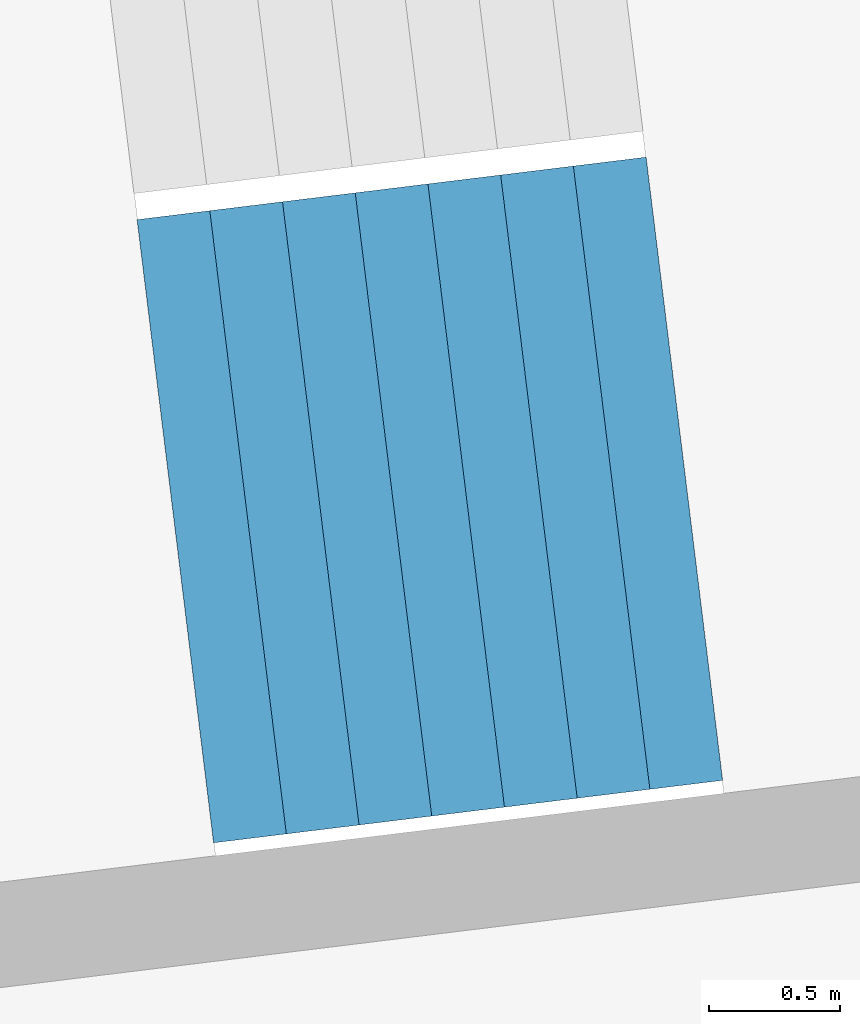
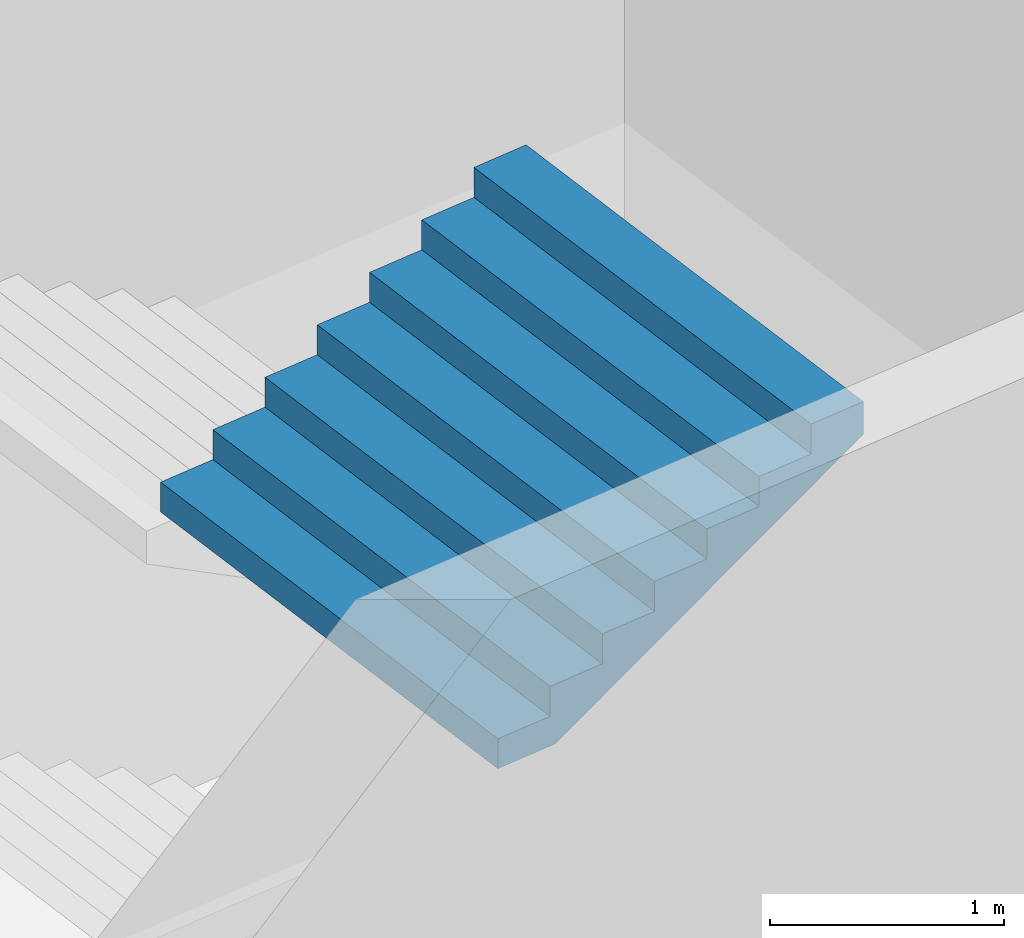
# One storey, part 24 of 73: 1 stair flight, 1 element without a shape of its own.
"""IFC4 building model written with IfcOpenShell, lengths in metres."""

from ifc_helpers import new_model, si_unit, direction, frame, origin, place, context, subcontext, project, spatial, triangles, material, type_object, element, aggregate, save


model = new_model("IFC4")

# Units and contexts
model_context = context("Model", 3, precision=1e-05, world=origin(), true_north=direction((0.0, 1.0)))
body_context = subcontext(model_context, "Body", "Model", "MODEL_VIEW")
ifc_project = project(units=[si_unit("LENGTHUNIT", "METRE"), si_unit("AREAUNIT", "SQUARE_METRE"), si_unit("VOLUMEUNIT", "CUBIC_METRE"), si_unit("PLANEANGLEUNIT", "RADIAN"), si_unit("MASSUNIT", "GRAM", prefix="KILO")], contexts=[model_context])

# Site, building, storey
site_placement = place(None, origin())
site = spatial("IfcSite", under=ifc_project, at=site_placement, CompositionType="ELEMENT")
building_placement = place(site_placement, origin())
building = spatial("IfcBuilding", under=site, at=building_placement, Name="Lantaw Convention Tower", CompositionType="ELEMENT")
storey_placement = place(building_placement, frame((0.0, 0.0, 22.0)))
storey = spatial("IfcBuildingStorey", under=building, at=storey_placement, Name="L03", CompositionType="ELEMENT", Elevation=22.0)

# Stair, stair flight
ifc_material = material(Name="Concrete C35/45", Category="concrete")
stair_type = type_object("IfcStairType", Name="Exit stair 2400 riser 156.25 in 4 flights", PredefinedType="HALF_TURN_STAIR", material=ifc_material)
stair_placement = place(storey_placement, origin())
stair = element("IfcStair", 1, at=stair_placement, inside=storey, type_object=stair_type, Name="Podium exit stair P10 L03", PredefinedType="HALF_TURN_STAIR")
stair_flight_type = type_object("IfcStairFlightType", Name="Stair flight 2400 riser 156.25", PredefinedType="STRAIGHT", material=ifc_material)
stair_flight_placement = place(storey_placement, frame((-36.802978515625, -5.7783203125, 3.75), z_axis=(0.0, 0.0, 1.0), x_axis=(0.992546151641, 0.121869343405, 0.0)))
stair_flight = element("IfcStairFlight", 2, at=stair_flight_placement, type_object=stair_flight_type, Name="P10 flight 4", NumberOfRisers=8, NumberOfTreads=7, PredefinedType="STRAIGHT", RiserHeight=0.15625, TreadLength=0.28, context=body_context, shape_type="Tessellation", body=[
    triangles([(0.0, 1.199951171875, 0.0), (0.0, 1.199951171875, 0.15625), (0.28, 1.199951171875, 0.0), (0.28, 1.199951171875, 0.15625), (0.28, 1.199951171875, 0.3125), (0.3076200632058044, 1.199951171875, 0.0), (0.3076200632058044, 1.199951171875, 0.3125), (0.56, 1.199951171875, 0.14083701830033238), (0.56, 1.199951171875, 0.3125), (0.56, 1.199951171875, 0.46875), (0.8400000000000001, 1.199951171875, 0.29708701830033235), (0.8400000000000001, 1.199951171875, 0.46875), (0.8400000000000001, 1.199951171875, 0.625), (1.12, 1.199951171875, 0.45333701830033235), (1.12, 1.199951171875, 0.625), (1.12, 1.199951171875, 0.78125), (1.4000000000000001, 1.199951171875, 0.6095870183003324), (1.4000000000000001, 1.199951171875, 0.78125), (1.4000000000000001, 1.199951171875, 0.9375), (1.6800000000000002, 1.199951171875, 0.7658370183003324), (1.6800000000000002, 1.199951171875, 0.9375), (1.6800000000000002, 1.199951171875, 1.09375), (1.9600000000000002, 1.199951171875, 0.9220870183003324), (1.9600000000000002, 1.199951171875, 1.09375), (0.0, -1.199951171875, 0.0), (0.0, -1.199951171875, 0.15625), (0.28, -1.199951171875, 0.0), (0.28, -1.199951171875, 0.15625), (0.28, -1.199951171875, 0.3125), (0.3076200632058044, -1.199951171875, 0.0), (0.3076200632058044, -1.199951171875, 0.3125), (0.56, -1.199951171875, 0.14083701830033238), (0.56, -1.199951171875, 0.3125), (0.56, -1.199951171875, 0.46875), (0.8400000000000001, -1.199951171875, 0.29708701830033235), (0.8400000000000001, -1.199951171875, 0.46875), (0.8400000000000001, -1.199951171875, 0.625), (1.12, -1.199951171875, 0.45333701830033235), (1.12, -1.199951171875, 0.625), (1.12, -1.199951171875, 0.78125), (1.4000000000000001, -1.199951171875, 0.6095870183003324), (1.4000000000000001, -1.199951171875, 0.78125), (1.4000000000000001, -1.199951171875, 0.9375), (1.6800000000000002, -1.199951171875, 0.7658370183003324), (1.6800000000000002, -1.199951171875, 0.9375), (1.6800000000000002, -1.199951171875, 1.09375), (1.9600000000000002, -1.199951171875, 0.9220870183003324), (1.9600000000000002, -1.199951171875, 1.09375), (0.0, 0.239990234375, 0.15625), (0.0, 0.239990234375, 0.0), (0.0, 0.1919921875, 0.15625), (0.0, 0.1919921875, 0.0), (0.0, 0.143994140625, 0.15625), (0.0, 0.143994140625, 0.0), (0.0, 0.09599609375, 0.15625), (0.0, 0.09599609375, 0.0), (0.0, 0.047998046875, 0.15625), (0.0, 0.047998046875, 0.0), (0.0, 0.0, 0.15625), (0.0, 0.0, 0.0), (0.0, -0.047998046875, 0.15625), (0.0, -0.047998046875, 0.0), (0.0, -0.09599609375, 0.15625), (0.0, -0.09599609375, 0.0), (0.0, -0.143994140625, 0.15625), (0.0, -0.143994140625, 0.0), (0.0, -0.1919921875, 0.15625), (0.0, -0.1919921875, 0.0), (0.0, -0.239990234375, 0.15625), (0.0, -0.239990234375, 0.0), (0.28, 0.239990234375, 0.3125), (0.28, 0.239990234375, 0.15625), (0.28, 0.1919921875, 0.3125), (0.28, 0.1919921875, 0.15625), (0.28, 0.143994140625, 0.3125), (0.28, 0.143994140625, 0.15625), (0.28, 0.09599609375, 0.3125), (0.28, 0.09599609375, 0.15625), (0.28, 0.047998046875, 0.3125), (0.28, 0.047998046875, 0.15625), (0.28, 0.0, 0.3125), (0.28, 0.0, 0.15625), (0.28, -0.047998046875, 0.3125), (0.28, -0.047998046875, 0.15625), (0.28, -0.09599609375, 0.3125), (0.28, -0.09599609375, 0.15625), (0.28, -0.143994140625, 0.3125), (0.28, -0.143994140625, 0.15625), (0.28, -0.1919921875, 0.3125), (0.28, -0.1919921875, 0.15625), (0.28, -0.239990234375, 0.3125), (0.28, -0.239990234375, 0.15625), (0.56, 0.239990234375, 0.46875), (0.56, 0.239990234375, 0.3125), (0.56, 0.1919921875, 0.46875), (0.56, 0.1919921875, 0.3125), (0.56, 0.143994140625, 0.46875), (0.56, 0.143994140625, 0.3125), (0.56, 0.09599609375, 0.46875), (0.56, 0.09599609375, 0.3125), (0.56, 0.047998046875, 0.46875), (0.56, 0.047998046875, 0.3125), (0.56, 0.0, 0.46875), (0.56, 0.0, 0.3125), (0.56, -0.047998046875, 0.46875), (0.56, -0.047998046875, 0.3125), (0.56, -0.09599609375, 0.46875), (0.56, -0.09599609375, 0.3125), (0.56, -0.143994140625, 0.46875), (0.56, -0.143994140625, 0.3125), (0.56, -0.1919921875, 0.46875), (0.56, -0.1919921875, 0.3125), (0.56, -0.239990234375, 0.46875), (0.56, -0.239990234375, 0.3125), (0.8400000000000001, 0.239990234375, 0.625), (0.8400000000000001, 0.239990234375, 0.46875), (0.8400000000000001, 0.1919921875, 0.625), (0.8400000000000001, 0.1919921875, 0.46875), (0.8400000000000001, 0.143994140625, 0.625), (0.8400000000000001, 0.143994140625, 0.46875), (0.8400000000000001, 0.09599609375, 0.625), (0.8400000000000001, 0.09599609375, 0.46875), (0.8400000000000001, 0.047998046875, 0.625), (0.8400000000000001, 0.047998046875, 0.46875), (0.8400000000000001, 0.0, 0.625), (0.8400000000000001, 0.0, 0.46875), (0.8400000000000001, -0.047998046875, 0.625), (0.8400000000000001, -0.047998046875, 0.46875), (0.8400000000000001, -0.09599609375, 0.625), (0.8400000000000001, -0.09599609375, 0.46875), (0.8400000000000001, -0.143994140625, 0.625), (0.8400000000000001, -0.143994140625, 0.46875), (0.8400000000000001, -0.1919921875, 0.625), (0.8400000000000001, -0.1919921875, 0.46875), (0.8400000000000001, -0.239990234375, 0.625), (0.8400000000000001, -0.239990234375, 0.46875), (1.12, 0.239990234375, 0.78125), (1.12, 0.239990234375, 0.625), (1.12, 0.1919921875, 0.78125), (1.12, 0.1919921875, 0.625), (1.12, 0.143994140625, 0.78125), (1.12, 0.143994140625, 0.625), (1.12, 0.09599609375, 0.78125), (1.12, 0.09599609375, 0.625), (1.12, 0.047998046875, 0.78125), (1.12, 0.047998046875, 0.625), (1.12, 0.0, 0.78125), (1.12, 0.0, 0.625), (1.12, -0.047998046875, 0.78125), (1.12, -0.047998046875, 0.625), (1.12, -0.09599609375, 0.78125), (1.12, -0.09599609375, 0.625), (1.12, -0.143994140625, 0.78125), (1.12, -0.143994140625, 0.625), (1.12, -0.1919921875, 0.78125), (1.12, -0.1919921875, 0.625), (1.12, -0.239990234375, 0.78125), (1.12, -0.239990234375, 0.625), (1.4000000000000001, 0.239990234375, 0.9375), (1.4000000000000001, 0.239990234375, 0.78125), (1.4000000000000001, 0.1919921875, 0.9375), (1.4000000000000001, 0.1919921875, 0.78125), (1.4000000000000001, 0.143994140625, 0.9375), (1.4000000000000001, 0.143994140625, 0.78125), (1.4000000000000001, 0.09599609375, 0.9375), (1.4000000000000001, 0.09599609375, 0.78125), (1.4000000000000001, 0.047998046875, 0.9375), (1.4000000000000001, 0.047998046875, 0.78125), (1.4000000000000001, 0.0, 0.9375), (1.4000000000000001, 0.0, 0.78125), (1.4000000000000001, -0.047998046875, 0.9375), (1.4000000000000001, -0.047998046875, 0.78125), (1.4000000000000001, -0.09599609375, 0.9375), (1.4000000000000001, -0.09599609375, 0.78125), (1.4000000000000001, -0.143994140625, 0.9375), (1.4000000000000001, -0.143994140625, 0.78125), (1.4000000000000001, -0.1919921875, 0.9375), (1.4000000000000001, -0.1919921875, 0.78125), (1.4000000000000001, -0.239990234375, 0.9375), (1.4000000000000001, -0.239990234375, 0.78125), (1.6800000000000002, 0.239990234375, 1.09375), (1.6800000000000002, 0.239990234375, 0.9375), (1.6800000000000002, 0.1919921875, 1.09375), (1.6800000000000002, 0.1919921875, 0.9375), (1.6800000000000002, 0.143994140625, 1.09375), (1.6800000000000002, 0.143994140625, 0.9375), (1.6800000000000002, 0.09599609375, 1.09375), (1.6800000000000002, 0.09599609375, 0.9375), (1.6800000000000002, 0.047998046875, 1.09375), (1.6800000000000002, 0.047998046875, 0.9375), (1.6800000000000002, 0.0, 1.09375), (1.6800000000000002, 0.0, 0.9375), (1.6800000000000002, -0.047998046875, 1.09375), (1.6800000000000002, -0.047998046875, 0.9375), (1.6800000000000002, -0.09599609375, 1.09375), (1.6800000000000002, -0.09599609375, 0.9375), (1.6800000000000002, -0.143994140625, 1.09375), (1.6800000000000002, -0.143994140625, 0.9375), (1.6800000000000002, -0.1919921875, 1.09375), (1.6800000000000002, -0.1919921875, 0.9375), (1.6800000000000002, -0.239990234375, 1.09375), (1.6800000000000002, -0.239990234375, 0.9375), (0.3076200632058044, 0.239990234375, 0.3125), (0.3076200632058044, 0.1919921875, 0.3125), (0.3076200632058044, 0.143994140625, 0.3125), (0.3076200632058044, 0.09599609375, 0.3125), (0.3076200632058044, 0.047998046875, 0.3125), (0.3076200632058044, 0.0, 0.3125), (0.3076200632058044, -0.047998046875, 0.3125), (0.3076200632058044, -0.09599609375, 0.3125), (0.3076200632058044, -0.143994140625, 0.3125), (0.3076200632058044, -0.1919921875, 0.3125), (0.3076200632058044, -0.239990234375, 0.3125), (1.9600000000000002, 0.239990234375, 1.09375), (1.9600000000000002, 0.1919921875, 1.09375), (1.9600000000000002, 0.143994140625, 1.09375), (1.9600000000000002, 0.09599609375, 1.09375), (1.9600000000000002, 0.047998046875, 1.09375), (1.9600000000000002, 0.0, 1.09375), (1.9600000000000002, -0.047998046875, 1.09375), (1.9600000000000002, -0.09599609375, 1.09375), (1.9600000000000002, -0.143994140625, 1.09375), (1.9600000000000002, -0.1919921875, 1.09375), (1.9600000000000002, -0.239990234375, 1.09375), (1.9600000000000002, 0.239990234375, 0.9220870183003324), (1.9600000000000002, 0.1919921875, 0.9220870183003324), (1.9600000000000002, 0.143994140625, 0.9220870183003324), (1.9600000000000002, 0.09599609375, 0.9220870183003324), (1.9600000000000002, 0.047998046875, 0.9220870183003324), (1.9600000000000002, 0.0, 0.9220870183003324), (1.9600000000000002, -0.047998046875, 0.9220870183003324), (1.9600000000000002, -0.09599609375, 0.9220870183003324), (1.9600000000000002, -0.143994140625, 0.9220870183003324), (1.9600000000000002, -0.1919921875, 0.9220870183003324), (1.9600000000000002, -0.239990234375, 0.9220870183003324), (1.6800000000000002, 0.239990234375, 0.7658370183003324), (1.6800000000000002, 0.1919921875, 0.7658370183003324), (1.6800000000000002, 0.143994140625, 0.7658370183003324), (1.6800000000000002, 0.09599609375, 0.7658370183003324), (1.6800000000000002, 0.047998046875, 0.7658370183003324), (1.6800000000000002, 0.0, 0.7658370183003324), (1.6800000000000002, -0.047998046875, 0.7658370183003324), (1.6800000000000002, -0.09599609375, 0.7658370183003324), (1.6800000000000002, -0.143994140625, 0.7658370183003324), (1.6800000000000002, -0.1919921875, 0.7658370183003324), (1.6800000000000002, -0.239990234375, 0.7658370183003324), (1.4000000000000001, 0.239990234375, 0.6095870183003324), (1.4000000000000001, 0.1919921875, 0.6095870183003324), (1.4000000000000001, 0.143994140625, 0.6095870183003324), (1.4000000000000001, 0.09599609375, 0.6095870183003324), (1.4000000000000001, 0.047998046875, 0.6095870183003324), (1.4000000000000001, 0.0, 0.6095870183003324), (1.4000000000000001, -0.047998046875, 0.6095870183003324), (1.4000000000000001, -0.09599609375, 0.6095870183003324), (1.4000000000000001, -0.143994140625, 0.6095870183003324), (1.4000000000000001, -0.1919921875, 0.6095870183003324), (1.4000000000000001, -0.239990234375, 0.6095870183003324), (1.12, 0.239990234375, 0.45333701830033235), (1.12, 0.1919921875, 0.45333701830033235), (1.12, 0.143994140625, 0.45333701830033235), (1.12, 0.09599609375, 0.45333701830033235), (1.12, 0.047998046875, 0.45333701830033235), (1.12, 0.0, 0.45333701830033235), (1.12, -0.047998046875, 0.45333701830033235), (1.12, -0.09599609375, 0.45333701830033235), (1.12, -0.143994140625, 0.45333701830033235), (1.12, -0.1919921875, 0.45333701830033235), (1.12, -0.239990234375, 0.45333701830033235), (0.8400000000000001, 0.239990234375, 0.29708701830033235), (0.8400000000000001, 0.1919921875, 0.29708701830033235), (0.8400000000000001, 0.143994140625, 0.29708701830033235), (0.8400000000000001, 0.09599609375, 0.29708701830033235), (0.8400000000000001, 0.047998046875, 0.29708701830033235), (0.8400000000000001, 0.0, 0.29708701830033235), (0.8400000000000001, -0.047998046875, 0.29708701830033235), (0.8400000000000001, -0.09599609375, 0.29708701830033235), (0.8400000000000001, -0.143994140625, 0.29708701830033235), (0.8400000000000001, -0.1919921875, 0.29708701830033235), (0.8400000000000001, -0.239990234375, 0.29708701830033235), (0.56, 0.239990234375, 0.14083701830033238), (0.56, 0.1919921875, 0.14083701830033238), (0.56, 0.143994140625, 0.14083701830033238), (0.56, 0.09599609375, 0.14083701830033238), (0.56, 0.047998046875, 0.14083701830033238), (0.56, 0.0, 0.14083701830033238), (0.56, -0.047998046875, 0.14083701830033238), (0.56, -0.09599609375, 0.14083701830033238), (0.56, -0.143994140625, 0.14083701830033238), (0.56, -0.1919921875, 0.14083701830033238), (0.56, -0.239990234375, 0.14083701830033238), (0.3076200632058044, 0.239990234375, 0.0), (0.3076200632058044, 0.1919921875, 0.0), (0.3076200632058044, 0.143994140625, 0.0), (0.3076200632058044, 0.09599609375, 0.0), (0.3076200632058044, 0.047998046875, 0.0), (0.3076200632058044, 0.0, 0.0), (0.3076200632058044, -0.047998046875, 0.0), (0.3076200632058044, -0.09599609375, 0.0), (0.3076200632058044, -0.143994140625, 0.0), (0.3076200632058044, -0.1919921875, 0.0), (0.3076200632058044, -0.239990234375, 0.0), (0.28, 0.239990234375, 0.0), (0.28, 0.1919921875, 0.0), (0.28, 0.143994140625, 0.0), (0.28, 0.09599609375, 0.0), (0.28, 0.047998046875, 0.0), (0.28, 0.0, 0.0), (0.28, -0.047998046875, 0.0), (0.28, -0.09599609375, 0.0), (0.28, -0.143994140625, 0.0), (0.28, -0.1919921875, 0.0), (0.28, -0.239990234375, 0.0)], [[1, 4, 3], [1, 2, 4], [3, 4, 6], [4, 7, 6], [4, 5, 7], [6, 9, 8], [6, 7, 9], [8, 9, 11], [9, 12, 11], [9, 10, 12], [11, 12, 14], [12, 15, 14], [12, 13, 15], [14, 15, 17], [15, 18, 17], [15, 16, 18], [17, 18, 20], [18, 21, 20], [18, 19, 21], [20, 21, 23], [21, 24, 23], [21, 22, 24], [25, 27, 28], [25, 28, 26], [27, 30, 28], [28, 30, 31], [28, 31, 29], [30, 32, 33], [30, 33, 31], [32, 35, 33], [33, 35, 36], [33, 36, 34], [35, 38, 36], [36, 38, 39], [36, 39, 37], [38, 41, 39], [39, 41, 42], [39, 42, 40], [41, 44, 42], [42, 44, 45], [42, 45, 43], [44, 47, 45], [45, 47, 48], [45, 48, 46], [1, 49, 2], [1, 50, 49], [50, 51, 49], [50, 52, 51], [52, 53, 51], [52, 54, 53], [54, 55, 53], [54, 56, 55], [56, 57, 55], [56, 58, 57], [58, 59, 57], [58, 60, 59], [60, 61, 59], [60, 62, 61], [62, 63, 61], [62, 64, 63], [64, 65, 63], [64, 66, 65], [66, 67, 65], [66, 68, 67], [68, 69, 67], [68, 70, 69], [70, 26, 69], [70, 25, 26], [4, 71, 5], [4, 72, 71], [72, 73, 71], [72, 74, 73], [74, 75, 73], [74, 76, 75], [76, 77, 75], [76, 78, 77], [78, 79, 77], [78, 80, 79], [80, 81, 79], [80, 82, 81], [82, 83, 81], [82, 84, 83], [84, 85, 83], [84, 86, 85], [86, 87, 85], [86, 88, 87], [88, 89, 87], [88, 90, 89], [90, 91, 89], [90, 92, 91], [92, 29, 91], [92, 28, 29], [9, 93, 10], [9, 94, 93], [94, 95, 93], [94, 96, 95], [96, 97, 95], [96, 98, 97], [98, 99, 97], [98, 100, 99], [100, 101, 99], [100, 102, 101], [102, 103, 101], [102, 104, 103], [104, 105, 103], [104, 106, 105], [106, 107, 105], [106, 108, 107], [108, 109, 107], [108, 110, 109], [110, 111, 109], [110, 112, 111], [112, 113, 111], [112, 114, 113], [114, 34, 113], [114, 33, 34], [12, 115, 13], [12, 116, 115], [116, 117, 115], [116, 118, 117], [118, 119, 117], [118, 120, 119], [120, 121, 119], [120, 122, 121], [122, 123, 121], [122, 124, 123], [124, 125, 123], [124, 126, 125], [126, 127, 125], [126, 128, 127], [128, 129, 127], [128, 130, 129], [130, 131, 129], [130, 132, 131], [132, 133, 131], [132, 134, 133], [134, 135, 133], [134, 136, 135], [136, 37, 135], [136, 36, 37], [15, 137, 16], [15, 138, 137], [138, 139, 137], [138, 140, 139], [140, 141, 139], [140, 142, 141], [142, 143, 141], [142, 144, 143], [144, 145, 143], [144, 146, 145], [146, 147, 145], [146, 148, 147], [148, 149, 147], [148, 150, 149], [150, 151, 149], [150, 152, 151], [152, 153, 151], [152, 154, 153], [154, 155, 153], [154, 156, 155], [156, 157, 155], [156, 158, 157], [158, 40, 157], [158, 39, 40], [18, 159, 19], [18, 160, 159], [160, 161, 159], [160, 162, 161], [162, 163, 161], [162, 164, 163], [164, 165, 163], [164, 166, 165], [166, 167, 165], [166, 168, 167], [168, 169, 167], [168, 170, 169], [170, 171, 169], [170, 172, 171], [172, 173, 171], [172, 174, 173], [174, 175, 173], [174, 176, 175], [176, 177, 175], [176, 178, 177], [178, 179, 177], [178, 180, 179], [180, 43, 179], [180, 42, 43], [21, 181, 22], [21, 182, 181], [182, 183, 181], [182, 184, 183], [184, 185, 183], [184, 186, 185], [186, 187, 185], [186, 188, 187], [188, 189, 187], [188, 190, 189], [190, 191, 189], [190, 192, 191], [192, 193, 191], [192, 194, 193], [194, 195, 193], [194, 196, 195], [196, 197, 195], [196, 198, 197], [198, 199, 197], [198, 200, 199], [200, 201, 199], [200, 202, 201], [202, 46, 201], [202, 45, 46], [2, 72, 4], [2, 49, 72], [49, 74, 72], [49, 51, 74], [51, 76, 74], [51, 53, 76], [53, 78, 76], [53, 55, 78], [55, 80, 78], [55, 57, 80], [57, 82, 80], [57, 59, 82], [59, 84, 82], [59, 61, 84], [61, 86, 84], [61, 63, 86], [63, 88, 86], [63, 65, 88], [65, 90, 88], [65, 67, 90], [67, 92, 90], [67, 69, 92], [69, 28, 92], [69, 26, 28], [5, 203, 7], [5, 71, 203], [71, 204, 203], [71, 73, 204], [73, 205, 204], [73, 75, 205], [75, 206, 205], [75, 77, 206], [77, 207, 206], [77, 79, 207], [79, 208, 207], [79, 81, 208], [81, 209, 208], [81, 83, 209], [83, 210, 209], [83, 85, 210], [85, 211, 210], [85, 87, 211], [87, 212, 211], [87, 89, 212], [89, 213, 212], [89, 91, 213], [91, 31, 213], [91, 29, 31], [7, 94, 9], [7, 203, 94], [203, 96, 94], [203, 204, 96], [204, 98, 96], [204, 205, 98], [205, 100, 98], [205, 206, 100], [206, 102, 100], [206, 207, 102], [207, 104, 102], [207, 208, 104], [208, 106, 104], [208, 209, 106], [209, 108, 106], [209, 210, 108], [210, 110, 108], [210, 211, 110], [211, 112, 110], [211, 212, 112], [212, 114, 112], [212, 213, 114], [213, 33, 114], [213, 31, 33], [10, 116, 12], [10, 93, 116], [93, 118, 116], [93, 95, 118], [95, 120, 118], [95, 97, 120], [97, 122, 120], [97, 99, 122], [99, 124, 122], [99, 101, 124], [101, 126, 124], [101, 103, 126], [103, 128, 126], [103, 105, 128], [105, 130, 128], [105, 107, 130], [107, 132, 130], [107, 109, 132], [109, 134, 132], [109, 111, 134], [111, 136, 134], [111, 113, 136], [113, 36, 136], [113, 34, 36], [13, 138, 15], [13, 115, 138], [115, 140, 138], [115, 117, 140], [117, 142, 140], [117, 119, 142], [119, 144, 142], [119, 121, 144], [121, 146, 144], [121, 123, 146], [123, 148, 146], [123, 125, 148], [125, 150, 148], [125, 127, 150], [127, 152, 150], [127, 129, 152], [129, 154, 152], [129, 131, 154], [131, 156, 154], [131, 133, 156], [133, 158, 156], [133, 135, 158], [135, 39, 158], [135, 37, 39], [16, 160, 18], [16, 137, 160], [137, 162, 160], [137, 139, 162], [139, 164, 162], [139, 141, 164], [141, 166, 164], [141, 143, 166], [143, 168, 166], [143, 145, 168], [145, 170, 168], [145, 147, 170], [147, 172, 170], [147, 149, 172], [149, 174, 172], [149, 151, 174], [151, 176, 174], [151, 153, 176], [153, 178, 176], [153, 155, 178], [155, 180, 178], [155, 157, 180], [157, 42, 180], [157, 40, 42], [19, 182, 21], [19, 159, 182], [159, 184, 182], [159, 161, 184], [161, 186, 184], [161, 163, 186], [163, 188, 186], [163, 165, 188], [165, 190, 188], [165, 167, 190], [167, 192, 190], [167, 169, 192], [169, 194, 192], [169, 171, 194], [171, 196, 194], [171, 173, 196], [173, 198, 196], [173, 175, 198], [175, 200, 198], [175, 177, 200], [177, 202, 200], [177, 179, 202], [179, 45, 202], [179, 43, 45], [22, 214, 24], [22, 181, 214], [181, 215, 214], [181, 183, 215], [183, 216, 215], [183, 185, 216], [185, 217, 216], [185, 187, 217], [187, 218, 217], [187, 189, 218], [189, 219, 218], [189, 191, 219], [191, 220, 219], [191, 193, 220], [193, 221, 220], [193, 195, 221], [195, 222, 221], [195, 197, 222], [197, 223, 222], [197, 199, 223], [199, 224, 223], [199, 201, 224], [201, 48, 224], [201, 46, 48], [24, 225, 23], [24, 214, 225], [214, 226, 225], [214, 215, 226], [215, 227, 226], [215, 216, 227], [216, 228, 227], [216, 217, 228], [217, 229, 228], [217, 218, 229], [218, 230, 229], [218, 219, 230], [219, 231, 230], [219, 220, 231], [220, 232, 231], [220, 221, 232], [221, 233, 232], [221, 222, 233], [222, 234, 233], [222, 223, 234], [223, 235, 234], [223, 224, 235], [224, 47, 235], [224, 48, 47], [23, 236, 20], [23, 225, 236], [225, 237, 236], [225, 226, 237], [226, 238, 237], [226, 227, 238], [227, 239, 238], [227, 228, 239], [228, 240, 239], [228, 229, 240], [229, 241, 240], [229, 230, 241], [230, 242, 241], [230, 231, 242], [231, 243, 242], [231, 232, 243], [232, 244, 243], [232, 233, 244], [233, 245, 244], [233, 234, 245], [234, 246, 245], [234, 235, 246], [235, 44, 246], [235, 47, 44], [20, 247, 17], [20, 236, 247], [236, 248, 247], [236, 237, 248], [237, 249, 248], [237, 238, 249], [238, 250, 249], [238, 239, 250], [239, 251, 250], [239, 240, 251], [240, 252, 251], [240, 241, 252], [241, 253, 252], [241, 242, 253], [242, 254, 253], [242, 243, 254], [243, 255, 254], [243, 244, 255], [244, 256, 255], [244, 245, 256], [245, 257, 256], [245, 246, 257], [246, 41, 257], [246, 44, 41], [17, 258, 14], [17, 247, 258], [247, 259, 258], [247, 248, 259], [248, 260, 259], [248, 249, 260], [249, 261, 260], [249, 250, 261], [250, 262, 261], [250, 251, 262], [251, 263, 262], [251, 252, 263], [252, 264, 263], [252, 253, 264], [253, 265, 264], [253, 254, 265], [254, 266, 265], [254, 255, 266], [255, 267, 266], [255, 256, 267], [256, 268, 267], [256, 257, 268], [257, 38, 268], [257, 41, 38], [14, 269, 11], [14, 258, 269], [258, 270, 269], [258, 259, 270], [259, 271, 270], [259, 260, 271], [260, 272, 271], [260, 261, 272], [261, 273, 272], [261, 262, 273], [262, 274, 273], [262, 263, 274], [263, 275, 274], [263, 264, 275], [264, 276, 275], [264, 265, 276], [265, 277, 276], [265, 266, 277], [266, 278, 277], [266, 267, 278], [267, 279, 278], [267, 268, 279], [268, 35, 279], [268, 38, 35], [11, 280, 8], [11, 269, 280], [269, 281, 280], [269, 270, 281], [270, 282, 281], [270, 271, 282], [271, 283, 282], [271, 272, 283], [272, 284, 283], [272, 273, 284], [273, 285, 284], [273, 274, 285], [274, 286, 285], [274, 275, 286], [275, 287, 286], [275, 276, 287], [276, 288, 287], [276, 277, 288], [277, 289, 288], [277, 278, 289], [278, 290, 289], [278, 279, 290], [279, 32, 290], [279, 35, 32], [8, 291, 6], [8, 280, 291], [280, 292, 291], [280, 281, 292], [281, 293, 292], [281, 282, 293], [282, 294, 293], [282, 283, 294], [283, 295, 294], [283, 284, 295], [284, 296, 295], [284, 285, 296], [285, 297, 296], [285, 286, 297], [286, 298, 297], [286, 287, 298], [287, 299, 298], [287, 288, 299], [288, 300, 299], [288, 289, 300], [289, 301, 300], [289, 290, 301], [290, 30, 301], [290, 32, 30], [6, 302, 3], [6, 291, 302], [291, 303, 302], [291, 292, 303], [292, 304, 303], [292, 293, 304], [293, 305, 304], [293, 294, 305], [294, 306, 305], [294, 295, 306], [295, 307, 306], [295, 296, 307], [296, 308, 307], [296, 297, 308], [297, 309, 308], [297, 298, 309], [298, 310, 309], [298, 299, 310], [299, 311, 310], [299, 300, 311], [300, 312, 311], [300, 301, 312], [301, 27, 312], [301, 30, 27], [3, 50, 1], [3, 302, 50], [302, 52, 50], [302, 303, 52], [303, 54, 52], [303, 304, 54], [304, 56, 54], [304, 305, 56], [305, 58, 56], [305, 306, 58], [306, 60, 58], [306, 307, 60], [307, 62, 60], [307, 308, 62], [308, 64, 62], [308, 309, 64], [309, 66, 64], [309, 310, 66], [310, 68, 66], [310, 311, 68], [311, 70, 68], [311, 312, 70], [312, 25, 70], [312, 27, 25]], closed=True),
])
aggregate(stair, [stair_flight])

save(model, "model.ifc")
